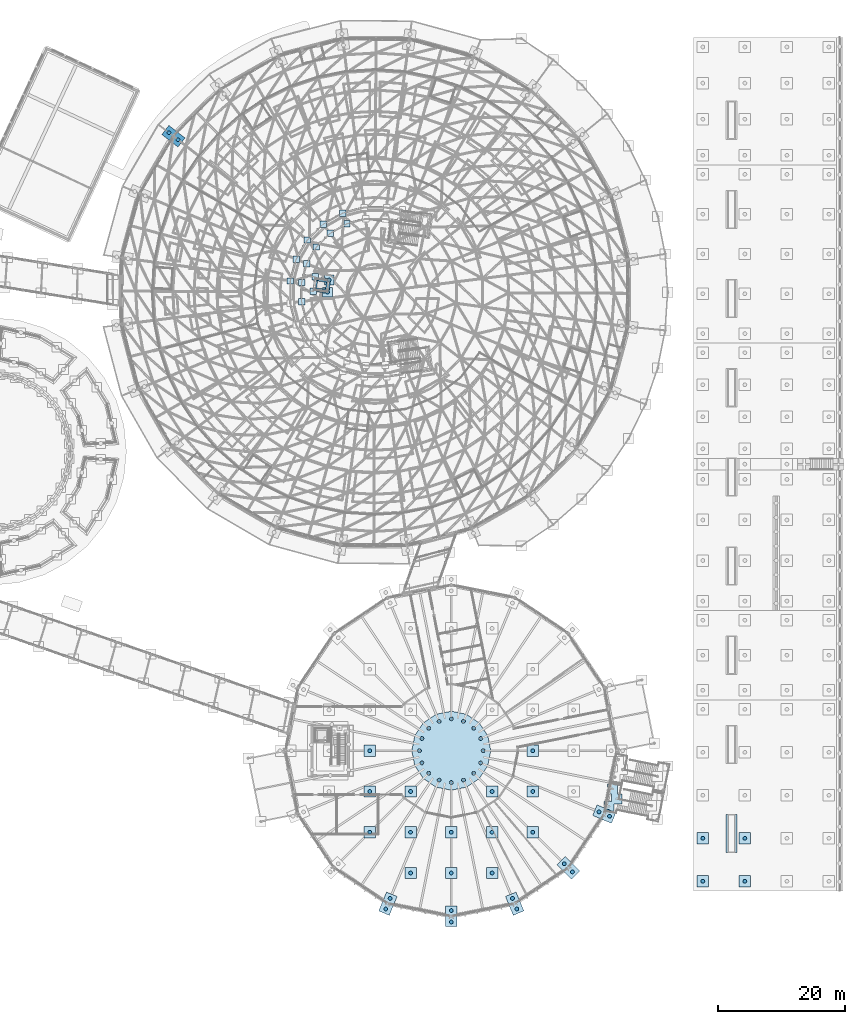
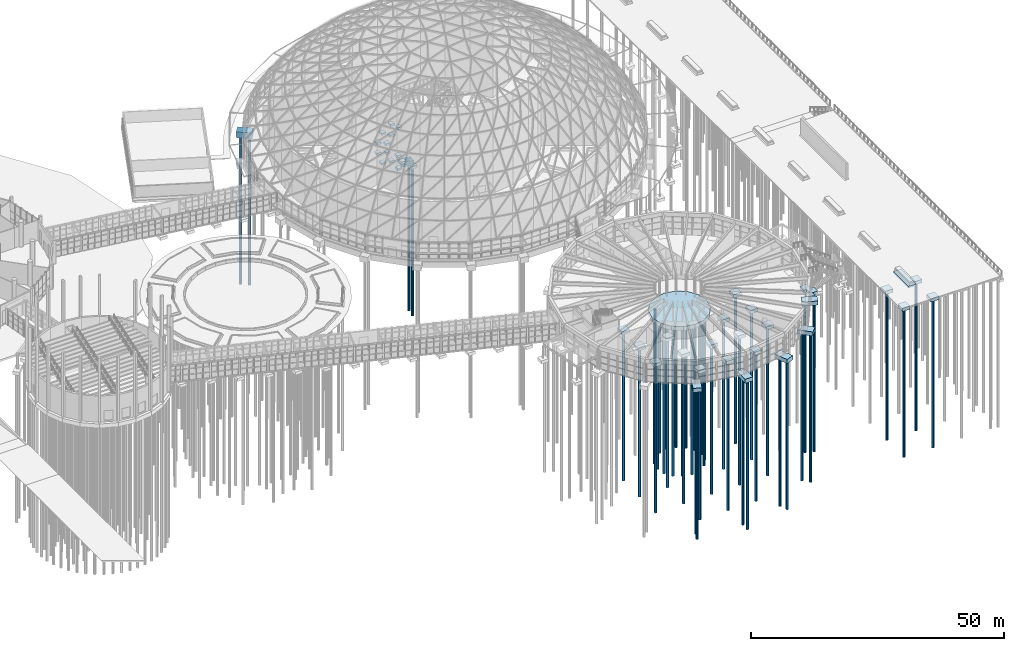
# One storey, part 7 of 226: 48 piles, 46 footings.
"""IFC4 building model written with IfcOpenShell, lengths in metres."""

from ifc_helpers import new_model, si_unit, direction, frame, origin, origin_2d, place, context, subcontext, project, spatial, polyline, circle, outline, extrude, material, layer, layer_set, material_profile, profile_set, type_object, element, save


model = new_model("IFC4")

# Units and contexts
model_context = context("Model", 3, precision=1e-05, world=origin(), true_north=direction((0.0, 1.0)))
body_context = subcontext(model_context, "Body", "Model", "MODEL_VIEW")
ifc_project = project(units=[si_unit("LENGTHUNIT", "METRE"), si_unit("AREAUNIT", "SQUARE_METRE"), si_unit("VOLUMEUNIT", "CUBIC_METRE"), si_unit("PLANEANGLEUNIT", "RADIAN"), si_unit("MASSUNIT", "GRAM", prefix="KILO")], contexts=[model_context])

# Site, building, storey
site_placement = place(None, origin())
site = spatial("IfcSite", under=ifc_project, at=site_placement, CompositionType="ELEMENT")
building_placement = place(site_placement, origin())
building = spatial("IfcBuilding", under=site, at=building_placement, Name="Ceibo Conservatory and Research Tower", CompositionType="ELEMENT")
storey_placement = place(building_placement, origin())
storey = spatial("IfcBuildingStorey", under=building, at=storey_placement, Name="L00", CompositionType="ELEMENT", Elevation=0.0)

# Piles
ifc_material_1 = material(Name="Concrete C35/45", Category="concrete")
ifc_material_profile = material_profile(ifc_material_1, circle(Radius=0.300048828125, at=origin_2d()), Name="RC D600")
ifc_profile_set = profile_set([ifc_material_profile], Name="Concrete C35/45")
pile_type = type_object("IfcPileType", Name="Bored pile D600", PredefinedType="BORED", material=ifc_profile_set)
for number, where, z_axis, x_axis, name in (
    (1, (125.083984375, 131.937744140625, -1.300048828125), (0.0, 0.0, -1.0), (1.0, 0.0, 0.0), "Pile DA.CAP.L00.10 01"),
    (2, (123.660888671875, 133.039794921875, -1.300048828125), (0.0, 0.0, -1.0), (1.0, 0.0, 0.0), "Pile DA.CAP.L00.10 02"),
    (3, (173.0, 36.0, -0.89990234375), (0.0, 0.0, -1.0), (1.0, 0.0, 0.0), "Pile VC.CAP.CENTRAL 01"),
    (4, (172.619384765625, 37.913330078125, -0.89990234375), (0.0, 0.0, -1.0), (1.0, 0.0, 0.0), "Pile VC.CAP.CENTRAL 02"),
    (5, (171.53564453125, 39.53564453125, -0.89990234375), (0.0, 0.0, -1.0), (1.0, 0.0, 0.0), "Pile VC.CAP.CENTRAL 03"),
    (6, (169.913330078125, 40.619384765625, -0.89990234375), (0.0, 0.0, -1.0), (1.0, 0.0, 0.0), "Pile VC.CAP.CENTRAL 04"),
    (7, (168.0, 41.0, -0.89990234375), (0.0, 0.0, -1.0), (1.0, 0.0, 0.0), "Pile VC.CAP.CENTRAL 05"),
    (8, (166.086669921875, 40.619384765625, -0.89990234375), (0.0, 0.0, -1.0), (1.0, 0.0, 0.0), "Pile VC.CAP.CENTRAL 06"),
    (9, (164.46435546875, 39.53564453125, -0.89990234375), (0.0, 0.0, -1.0), (1.0, 0.0, 0.0), "Pile VC.CAP.CENTRAL 07"),
    (10, (163.380615234375, 37.913330078125, -0.89990234375), (0.0, 0.0, -1.0), (1.0, 0.0, 0.0), "Pile VC.CAP.CENTRAL 08"),
    (11, (163.0, 36.0, -0.89990234375), (0.0, 0.0, -1.0), (1.0, 0.0, 0.0), "Pile VC.CAP.CENTRAL 09"),
    (12, (163.380615234375, 34.086669921875, -0.89990234375), (0.0, 0.0, -1.0), (1.0, 0.0, 0.0), "Pile VC.CAP.CENTRAL 10"),
    (13, (164.46435546875, 32.46435546875, -0.89990234375), (0.0, 0.0, -1.0), (1.0, 0.0, 0.0), "Pile VC.CAP.CENTRAL 11"),
    (14, (166.086669921875, 31.380615234375, -0.89990234375), (0.0, 0.0, -1.0), (1.0, 0.0, 0.0), "Pile VC.CAP.CENTRAL 12"),
    (15, (168.0, 31.0, -0.89990234375), (0.0, 0.0, -1.0), (1.0, 0.0, 0.0), "Pile VC.CAP.CENTRAL 13"),
    (16, (169.913330078125, 31.380615234375, -0.89990234375), (0.0, 0.0, -1.0), (1.0, 0.0, 0.0), "Pile VC.CAP.CENTRAL 14"),
    (17, (171.53564453125, 32.46435546875, -0.89990234375), (0.0, 0.0, -1.0), (1.0, 0.0, 0.0), "Pile VC.CAP.CENTRAL 15"),
    (18, (172.619384765625, 34.086669921875, -0.89990234375), (0.0, 0.0, -1.0), (1.0, 0.0, 0.0), "Pile VC.CAP.CENTRAL 16"),
    (19, (158.39453125, 12.810546875, -0.89990234375), (0.0, 0.0, -1.0), (1.0, 0.0, 0.0), "Pile VC.CAP.L00.12 01"),
    (20, (157.705810546875, 11.147705078125, -0.89990234375), (0.0, 0.0, -1.0), (1.0, 0.0, 0.0), "Pile VC.CAP.L00.12 02"),
    (21, (168.0, 10.89990234375, -0.89990234375), (0.0, 0.0, -1.0), (1.0, 0.0, 0.0), "Pile VC.CAP.L00.13 01"),
    (22, (168.0, 9.10009765625, -0.89990234375), (0.0, 0.0, -1.0), (1.0, 0.0, 0.0), "Pile VC.CAP.L00.13 02"),
    (23, (177.60546875, 12.810546875, -0.89990234375), (0.0, 0.0, -1.0), (1.0, 0.0, 0.0), "Pile VC.CAP.L00.14 01"),
    (24, (178.294189453125, 11.147705078125, -0.89990234375), (0.0, 0.0, -1.0), (1.0, 0.0, 0.0), "Pile VC.CAP.L00.14 02"),
    (25, (185.748291015625, 18.251708984375, -0.89990234375), (0.0, 0.0, -1.0), (1.0, 0.0, 0.0), "Pile VC.CAP.L00.15 01"),
    (26, (187.021240234375, 16.978759765625, -0.89990234375), (0.0, 0.0, -1.0), (1.0, 0.0, 0.0), "Pile VC.CAP.L00.15 02"),
    (27, (191.189453125, 26.39453125, -0.89990234375), (0.0, 0.0, -1.0), (1.0, 0.0, 0.0), "Pile VC.CAP.L00.16 01"),
    (28, (192.852294921875, 25.705810546875, -0.89990234375), (0.0, 0.0, -1.0), (1.0, 0.0, 0.0), "Pile VC.CAP.L00.16 02"),
    (29, (161.60009765625, 16.800048828125, -0.949951171875), (0.0, 0.0, -1.0), (1.0, 0.0, 0.0), "Pile VC.CAP.FLOOR.01 01"),
    (30, (168.0, 16.800048828125, -0.949951171875), (0.0, 0.0, -1.0), (1.0, 0.0, 0.0), "Pile VC.CAP.FLOOR.02 01"),
    (31, (174.39990234375, 16.800048828125, -0.949951171875), (0.0, 0.0, -1.0), (1.0, 0.0, 0.0), "Pile VC.CAP.FLOOR.03 01"),
    (32, (155.199951171875, 23.199951171875, -0.949951171875), (0.0, 0.0, -1.0), (1.0, 0.0, 0.0), "Pile VC.CAP.FLOOR.04 01"),
    (33, (161.60009765625, 23.199951171875, -0.949951171875), (0.0, 0.0, -1.0), (1.0, 0.0, 0.0), "Pile VC.CAP.FLOOR.05 01"),
    (34, (168.0, 23.199951171875, -0.949951171875), (0.0, 0.0, -1.0), (1.0, 0.0, 0.0), "Pile VC.CAP.FLOOR.06 01"),
    (35, (174.39990234375, 23.199951171875, -0.949951171875), (0.0, 0.0, -1.0), (1.0, 0.0, 0.0), "Pile VC.CAP.FLOOR.07 01"),
    (36, (180.800048828125, 23.199951171875, -0.949951171875), (0.0, 0.0, -1.0), (1.0, 0.0, 0.0), "Pile VC.CAP.FLOOR.08 01"),
    (37, (155.199951171875, 29.60009765625, -0.949951171875), (0.0, 0.0, -1.0), (1.0, 0.0, 0.0), "Pile VC.CAP.FLOOR.10 01"),
    (38, (161.60009765625, 29.60009765625, -0.949951171875), (0.0, 0.0, -1.0), (1.0, 0.0, 0.0), "Pile VC.CAP.FLOOR.11 01"),
    (39, (174.39990234375, 29.60009765625, -0.949951171875), (0.0, 0.0, -1.0), (1.0, 0.0, 0.0), "Pile VC.CAP.FLOOR.12 01"),
    (40, (180.800048828125, 29.60009765625, -0.949951171875), (0.0, 0.0, -1.0), (1.0, 0.0, 0.0), "Pile VC.CAP.FLOOR.13 01"),
    (41, (155.199951171875, 36.0, -0.949951171875), (0.0, 0.0, -1.0), (1.0, 0.0, 0.0), "Pile VC.CAP.FLOOR.16 01"),
    (42, (180.800048828125, 36.0, -0.949951171875), (0.0, 0.0, -1.0), (1.0, 0.0, 0.0), "Pile VC.CAP.FLOOR.17 01"),
    (43, (148.81396484375, 109.91064453125, -2.449951171875), (0.0, 0.0, -1.0), (1.0, 0.0, 0.0), "Pile CARRY.DA.LFT.L00.C1 01"),
    (44, (148.564208984375, 108.0244140625, -2.449951171875), (0.0, 0.0, -1.0), (1.0, 0.0, 0.0), "Pile CARRY.DA.LFT.L00.C2 01"),
    (45, (207.5, 15.5, -1.14990234375), (0.0, 0.0, -1.0), (1.0, 0.0, 0.0), "Pile SITE.QDECK.CAP.N1.01 01"),
    (46, (214.10009765625, 15.5, -1.14990234375), (0.0, 0.0, -1.0), (1.0, 0.0, 0.0), "Pile SITE.QDECK.CAP.N1.02 01"),
    (47, (207.5, 22.25, -1.14990234375), (0.0, 0.0, -1.0), (1.0, 0.0, 0.0), "Pile SITE.QDECK.CAP.N1.05 01"),
    (48, (214.10009765625, 22.25, -1.14990234375), (0.0, 0.0, -1.0), (1.0, 0.0, 0.0), "Pile SITE.QDECK.CAP.N1.06 01"),
):
    element("IfcPile", number, at=place(storey_placement, frame(where, z_axis=z_axis, x_axis=x_axis)), inside=storey, type_object=pile_type, Name=name, PredefinedType="BORED", context=body_context, shape_type="SweptSolid", body=[
        extrude(circle(Radius=0.300048828125, at=origin_2d()), origin(), (0.0, 0.0, 1.0), 36.0),
    ])

# Footings
ifc_material_2 = material(Name="Concrete C40/50", Category="concrete")
ifc_layer_1 = layer(ifc_material_2, 0.5)
ifc_layer_set_1 = layer_set([ifc_layer_1], Name="Concrete C40/50")
footing_type_1 = type_object("IfcFootingType", Name="Lift pit strip footing 500", PredefinedType="STRIP_FOOTING", material=ifc_layer_set_1)
footing_1_placement = place(storey_placement, frame((0.0, 0.0, -1.949951171875)))
element("IfcFooting", 49, at=footing_1_placement, inside=storey, type_object=footing_type_1, Name="Lift pit footing 1", PredefinedType="STRIP_FOOTING", context=body_context, shape_type="SweptSolid", body=[
    extrude(outline(polyline([(148.760986328125, 107.7978515625), (148.839599609375, 108.392822265625), (146.26220703125, 108.73388671875), (146.183349609375, 108.13916015625), (148.760986328125, 107.7978515625)])), origin(), (0.0, 0.0, 1.0), 0.5),
])
footing_2_placement = place(storey_placement, frame((0.0, 0.0, -1.949951171875)))
element("IfcFooting", 50, at=footing_2_placement, inside=storey, type_object=footing_type_1, Name="Lift pit footing 2", PredefinedType="STRIP_FOOTING", context=body_context, shape_type="SweptSolid", body=[
    extrude(outline(polyline([(148.98388671875, 109.483154296875), (149.062744140625, 110.078125), (146.485107421875, 110.419189453125), (146.406494140625, 109.824462890625), (148.98388671875, 109.483154296875)])), origin(), (0.0, 0.0, 1.0), 0.5),
])
footing_3_placement = place(storey_placement, frame((0.0, 0.0, -1.949951171875)))
element("IfcFooting", 51, at=footing_3_placement, inside=storey, type_object=footing_type_1, Name="Lift pit footing 3", PredefinedType="STRIP_FOOTING", context=body_context, shape_type="SweptSolid", body=[
    extrude(outline(polyline([(148.839599609375, 108.392822265625), (148.98388671875, 109.483154296875), (148.38916015625, 109.56201171875), (148.244873046875, 108.471435546875), (148.839599609375, 108.392822265625)])), origin(), (0.0, 0.0, 1.0), 0.5),
])
footing_4_placement = place(storey_placement, frame((0.0, 0.0, -1.949951171875)))
element("IfcFooting", 52, at=footing_4_placement, inside=storey, type_object=footing_type_1, Name="Lift pit footing 4", PredefinedType="STRIP_FOOTING", context=body_context, shape_type="SweptSolid", body=[
    extrude(outline(polyline([(146.85693359375, 108.6552734375), (147.001220703125, 109.74560546875), (146.406494140625, 109.824462890625), (146.26220703125, 108.73388671875), (146.85693359375, 108.6552734375)])), origin(), (0.0, 0.0, 1.0), 0.5),
])
ifc_layer_2 = layer(ifc_material_2, 0.60009765625)
ifc_layer_set_2 = layer_set([ifc_layer_2], Name="Concrete C40/50")
footing_type_2 = type_object("IfcFootingType", Name="Pile cap 1500x1500x600", PredefinedType="PILE_CAP", material=ifc_layer_set_2)
footing_5_placement = place(storey_placement, frame((0.0, 0.0, -2.550048828125)))
element("IfcFooting", 53, at=footing_5_placement, inside=storey, type_object=footing_type_2, Name="Pile cap CARRY.DA.LFT.L00.C1", PredefinedType="PILE_CAP", context=body_context, shape_type="SweptSolid", body=[
    extrude(outline(polyline([(149.56396484375, 109.16064453125), (149.56396484375, 110.66064453125), (148.06396484375, 110.66064453125), (148.06396484375, 109.16064453125), (149.56396484375, 109.16064453125)])), origin(), (0.0, 0.0, 1.0), 0.60009765625),
])
footing_6_placement = place(storey_placement, frame((0.0, 0.0, -2.550048828125)))
element("IfcFooting", 54, at=footing_6_placement, inside=storey, type_object=footing_type_2, Name="Pile cap CARRY.DA.LFT.L00.C2", PredefinedType="PILE_CAP", context=body_context, shape_type="SweptSolid", body=[
    extrude(outline(polyline([(149.314208984375, 107.2744140625), (149.314208984375, 108.7744140625), (147.814208984375, 108.7744140625), (147.814208984375, 107.2744140625), (149.314208984375, 107.2744140625)])), origin(), (0.0, 0.0, 1.0), 0.60009765625),
])
ifc_layer_3 = layer(ifc_material_2, 0.800048828125)
ifc_layer_set_3 = layer_set([ifc_layer_3], Name="Concrete C40/50")
footing_type_3 = type_object("IfcFootingType", Name="Pile cap 1800x1800x800", PredefinedType="PILE_CAP", material=ifc_layer_set_3)
footing_7_placement = place(storey_placement, frame((0.0, 0.0, -1.050048828125)))
element("IfcFooting", 55, at=footing_7_placement, inside=storey, type_object=footing_type_3, Name="Pile cap VC.CAP.FLOOR.01", PredefinedType="PILE_CAP", context=body_context, shape_type="SweptSolid", body=[
    extrude(outline(polyline([(160.699951171875, 15.89990234375), (162.5, 15.89990234375), (162.5, 17.699951171875), (160.699951171875, 17.699951171875), (160.699951171875, 15.89990234375)])), origin(), (0.0, 0.0, 1.0), 0.800048828125),
])
footing_8_placement = place(storey_placement, frame((0.0, 0.0, -1.050048828125)))
element("IfcFooting", 56, at=footing_8_placement, inside=storey, type_object=footing_type_3, Name="Pile cap VC.CAP.FLOOR.02", PredefinedType="PILE_CAP", context=body_context, shape_type="SweptSolid", body=[
    extrude(outline(polyline([(167.10009765625, 15.89990234375), (168.89990234375, 15.89990234375), (168.89990234375, 17.699951171875), (167.10009765625, 17.699951171875), (167.10009765625, 15.89990234375)])), origin(), (0.0, 0.0, 1.0), 0.800048828125),
])
footing_9_placement = place(storey_placement, frame((0.0, 0.0, -1.050048828125)))
element("IfcFooting", 57, at=footing_9_placement, inside=storey, type_object=footing_type_3, Name="Pile cap VC.CAP.FLOOR.03", PredefinedType="PILE_CAP", context=body_context, shape_type="SweptSolid", body=[
    extrude(outline(polyline([(173.5, 15.89990234375), (175.300048828125, 15.89990234375), (175.300048828125, 17.699951171875), (173.5, 17.699951171875), (173.5, 15.89990234375)])), origin(), (0.0, 0.0, 1.0), 0.800048828125),
])
footing_10_placement = place(storey_placement, frame((0.0, 0.0, -1.050048828125)))
element("IfcFooting", 58, at=footing_10_placement, inside=storey, type_object=footing_type_3, Name="Pile cap VC.CAP.FLOOR.04", PredefinedType="PILE_CAP", context=body_context, shape_type="SweptSolid", body=[
    extrude(outline(polyline([(154.300048828125, 22.300048828125), (156.10009765625, 22.300048828125), (156.10009765625, 24.10009765625), (154.300048828125, 24.10009765625), (154.300048828125, 22.300048828125)])), origin(), (0.0, 0.0, 1.0), 0.800048828125),
])
footing_11_placement = place(storey_placement, frame((0.0, 0.0, -1.050048828125)))
element("IfcFooting", 59, at=footing_11_placement, inside=storey, type_object=footing_type_3, Name="Pile cap VC.CAP.FLOOR.05", PredefinedType="PILE_CAP", context=body_context, shape_type="SweptSolid", body=[
    extrude(outline(polyline([(160.699951171875, 22.300048828125), (162.5, 22.300048828125), (162.5, 24.10009765625), (160.699951171875, 24.10009765625), (160.699951171875, 22.300048828125)])), origin(), (0.0, 0.0, 1.0), 0.800048828125),
])
footing_12_placement = place(storey_placement, frame((0.0, 0.0, -1.050048828125)))
element("IfcFooting", 60, at=footing_12_placement, inside=storey, type_object=footing_type_3, Name="Pile cap VC.CAP.FLOOR.06", PredefinedType="PILE_CAP", context=body_context, shape_type="SweptSolid", body=[
    extrude(outline(polyline([(167.10009765625, 22.300048828125), (168.89990234375, 22.300048828125), (168.89990234375, 24.10009765625), (167.10009765625, 24.10009765625), (167.10009765625, 22.300048828125)])), origin(), (0.0, 0.0, 1.0), 0.800048828125),
])
footing_13_placement = place(storey_placement, frame((0.0, 0.0, -1.050048828125)))
element("IfcFooting", 61, at=footing_13_placement, inside=storey, type_object=footing_type_3, Name="Pile cap VC.CAP.FLOOR.07", PredefinedType="PILE_CAP", context=body_context, shape_type="SweptSolid", body=[
    extrude(outline(polyline([(173.5, 22.300048828125), (175.300048828125, 22.300048828125), (175.300048828125, 24.10009765625), (173.5, 24.10009765625), (173.5, 22.300048828125)])), origin(), (0.0, 0.0, 1.0), 0.800048828125),
])
footing_14_placement = place(storey_placement, frame((0.0, 0.0, -1.050048828125)))
element("IfcFooting", 62, at=footing_14_placement, inside=storey, type_object=footing_type_3, Name="Pile cap VC.CAP.FLOOR.08", PredefinedType="PILE_CAP", context=body_context, shape_type="SweptSolid", body=[
    extrude(outline(polyline([(179.89990234375, 22.300048828125), (181.699951171875, 22.300048828125), (181.699951171875, 24.10009765625), (179.89990234375, 24.10009765625), (179.89990234375, 22.300048828125)])), origin(), (0.0, 0.0, 1.0), 0.800048828125),
])
footing_15_placement = place(storey_placement, frame((0.0, 0.0, -1.050048828125)))
element("IfcFooting", 63, at=footing_15_placement, inside=storey, type_object=footing_type_3, Name="Pile cap VC.CAP.FLOOR.10", PredefinedType="PILE_CAP", context=body_context, shape_type="SweptSolid", body=[
    extrude(outline(polyline([(154.300048828125, 28.699951171875), (156.10009765625, 28.699951171875), (156.10009765625, 30.5), (154.300048828125, 30.5), (154.300048828125, 28.699951171875)])), origin(), (0.0, 0.0, 1.0), 0.800048828125),
])
footing_16_placement = place(storey_placement, frame((0.0, 0.0, -1.050048828125)))
element("IfcFooting", 64, at=footing_16_placement, inside=storey, type_object=footing_type_3, Name="Pile cap VC.CAP.FLOOR.11", PredefinedType="PILE_CAP", context=body_context, shape_type="SweptSolid", body=[
    extrude(outline(polyline([(160.699951171875, 28.699951171875), (162.5, 28.699951171875), (162.5, 30.5), (160.699951171875, 30.5), (160.699951171875, 28.699951171875)])), origin(), (0.0, 0.0, 1.0), 0.800048828125),
])
footing_17_placement = place(storey_placement, frame((0.0, 0.0, -1.050048828125)))
element("IfcFooting", 65, at=footing_17_placement, inside=storey, type_object=footing_type_3, Name="Pile cap VC.CAP.FLOOR.12", PredefinedType="PILE_CAP", context=body_context, shape_type="SweptSolid", body=[
    extrude(outline(polyline([(173.5, 28.699951171875), (175.300048828125, 28.699951171875), (175.300048828125, 30.5), (173.5, 30.5), (173.5, 28.699951171875)])), origin(), (0.0, 0.0, 1.0), 0.800048828125),
])
footing_18_placement = place(storey_placement, frame((0.0, 0.0, -1.050048828125)))
element("IfcFooting", 66, at=footing_18_placement, inside=storey, type_object=footing_type_3, Name="Pile cap VC.CAP.FLOOR.13", PredefinedType="PILE_CAP", context=body_context, shape_type="SweptSolid", body=[
    extrude(outline(polyline([(179.89990234375, 28.699951171875), (181.699951171875, 28.699951171875), (181.699951171875, 30.5), (179.89990234375, 30.5), (179.89990234375, 28.699951171875)])), origin(), (0.0, 0.0, 1.0), 0.800048828125),
])
footing_19_placement = place(storey_placement, frame((0.0, 0.0, -1.050048828125)))
element("IfcFooting", 67, at=footing_19_placement, inside=storey, type_object=footing_type_3, Name="Pile cap VC.CAP.FLOOR.16", PredefinedType="PILE_CAP", context=body_context, shape_type="SweptSolid", body=[
    extrude(outline(polyline([(154.300048828125, 35.10009765625), (156.10009765625, 35.10009765625), (156.10009765625, 36.89990234375), (154.300048828125, 36.89990234375), (154.300048828125, 35.10009765625)])), origin(), (0.0, 0.0, 1.0), 0.800048828125),
])
footing_20_placement = place(storey_placement, frame((0.0, 0.0, -1.050048828125)))
element("IfcFooting", 68, at=footing_20_placement, inside=storey, type_object=footing_type_3, Name="Pile cap VC.CAP.FLOOR.17", PredefinedType="PILE_CAP", context=body_context, shape_type="SweptSolid", body=[
    extrude(outline(polyline([(179.89990234375, 35.10009765625), (181.699951171875, 35.10009765625), (181.699951171875, 36.89990234375), (179.89990234375, 36.89990234375), (179.89990234375, 35.10009765625)])), origin(), (0.0, 0.0, 1.0), 0.800048828125),
])
footing_21_placement = place(storey_placement, frame((0.0, 0.0, -1.25)))
element("IfcFooting", 69, at=footing_21_placement, inside=storey, type_object=footing_type_3, Name="Quay deck pile cap N1-01", PredefinedType="PILE_CAP", context=body_context, shape_type="SweptSolid", body=[
    extrude(outline(polyline([(206.60009765625, 14.60009765625), (208.39990234375, 14.60009765625), (208.39990234375, 16.39990234375), (206.60009765625, 16.39990234375), (206.60009765625, 14.60009765625)])), origin(), (0.0, 0.0, 1.0), 0.800048828125),
])
footing_22_placement = place(storey_placement, frame((0.0, 0.0, -1.25)))
element("IfcFooting", 70, at=footing_22_placement, inside=storey, type_object=footing_type_3, Name="Quay deck pile cap N1-02", PredefinedType="PILE_CAP", context=body_context, shape_type="SweptSolid", body=[
    extrude(outline(polyline([(213.199951171875, 14.60009765625), (215.0, 14.60009765625), (215.0, 16.39990234375), (213.199951171875, 16.39990234375), (213.199951171875, 14.60009765625)])), origin(), (0.0, 0.0, 1.0), 0.800048828125),
])
footing_23_placement = place(storey_placement, frame((0.0, 0.0, -1.25)))
element("IfcFooting", 71, at=footing_23_placement, inside=storey, type_object=footing_type_3, Name="Quay deck pile cap N1-05", PredefinedType="PILE_CAP", context=body_context, shape_type="SweptSolid", body=[
    extrude(outline(polyline([(206.60009765625, 21.35009765625), (208.39990234375, 21.35009765625), (208.39990234375, 23.14990234375), (206.60009765625, 23.14990234375), (206.60009765625, 21.35009765625)])), origin(), (0.0, 0.0, 1.0), 0.800048828125),
])
footing_24_placement = place(storey_placement, frame((0.0, 0.0, -1.25)))
element("IfcFooting", 72, at=footing_24_placement, inside=storey, type_object=footing_type_3, Name="Quay deck pile cap N1-06", PredefinedType="PILE_CAP", context=body_context, shape_type="SweptSolid", body=[
    extrude(outline(polyline([(213.199951171875, 21.35009765625), (215.0, 21.35009765625), (215.0, 23.14990234375), (213.199951171875, 23.14990234375), (213.199951171875, 21.35009765625)])), origin(), (0.0, 0.0, 1.0), 0.800048828125),
])
ifc_layer_4 = layer(ifc_material_2, 1.0)
ifc_layer_set_4 = layer_set([ifc_layer_4], Name="Concrete C40/50")
footing_type_4 = type_object("IfcFootingType", Name="Pile cap 3200x1800x1000", PredefinedType="PILE_CAP", material=ifc_layer_set_4)
footing_25_placement = place(storey_placement, frame((157.8310546875, 13.8017578125, -1.0), z_axis=(0.0, 0.0, 1.0), x_axis=(-0.382683492437, -0.923879507629, 0.0)))
element("IfcFooting", 73, at=footing_25_placement, inside=storey, type_object=footing_type_4, Name="Pile cap VC.CAP.L00.12", PredefinedType="PILE_CAP", context=body_context, shape_type="SweptSolid", body=[
    extrude(outline(polyline([(0.0, 0.0), (3.199951171875, 0.0), (3.199951171875, 1.800048828125), (0.0, 1.800048828125), (0.0, 0.0)])), origin(), (0.0, 0.0, 1.0), 1.0),
])
footing_26_placement = place(storey_placement, frame((0.0, 0.0, -1.0)))
element("IfcFooting", 74, at=footing_26_placement, inside=storey, type_object=footing_type_4, Name="Pile cap VC.CAP.L00.13", PredefinedType="PILE_CAP", context=body_context, shape_type="SweptSolid", body=[
    extrude(outline(polyline([(167.10009765625, 11.60009765625), (167.10009765625, 8.39990234375), (168.89990234375, 8.39990234375), (168.89990234375, 11.60009765625), (167.10009765625, 11.60009765625)])), origin(), (0.0, 0.0, 1.0), 1.0),
])
for number, where, z_axis, x_axis, name in (
    (75, (176.506103515625, 13.113037109375, -1.0), (0.0, 0.0, 1.0), (0.382683492437, -0.923879507629, 0.0), "Pile cap VC.CAP.L00.14"),
    (76, (184.616943359375, 18.110107421875, -1.0), (0.0, 0.0, 1.0), (0.707106781187, -0.707106781187, 0.0), "Pile cap VC.CAP.L00.15"),
    (77, (190.1982421875, 25.8310546875, -1.0), (0.0, 0.0, 1.0), (0.923879507629, -0.382683492437, 0.0), "Pile cap VC.CAP.L00.16"),
):
    element("IfcFooting", number, at=place(storey_placement, frame(where, z_axis=z_axis, x_axis=x_axis)), inside=storey, type_object=footing_type_4, Name=name, PredefinedType="PILE_CAP", context=body_context, shape_type="SweptSolid", body=[
        extrude(outline(polyline([(0.0, 0.0), (3.199951171875, 0.0), (3.199951171875, 1.800048828125), (0.0, 1.800048828125), (0.0, 0.0)])), origin(), (0.0, 0.0, 1.0), 1.0),
    ])
ifc_layer_5 = layer(ifc_material_2, 1.39990234375)
ifc_layer_set_5 = layer_set([ifc_layer_5], Name="Concrete C40/50")
footing_type_5 = type_object("IfcFootingType", Name="Pile cap 3200x1800x1400", PredefinedType="PILE_CAP", material=ifc_layer_set_5)
footing_27_placement = place(storey_placement, frame((126.1884765625, 132.220703125, -1.39990234375), z_axis=(0.0, 0.0, 1.0), x_axis=(-0.790689661174, 0.612217167116, 0.0)))
element("IfcFooting", 78, at=footing_27_placement, inside=storey, type_object=footing_type_5, Name="Pile cap DA.CAP.L00.10", PredefinedType="PILE_CAP", context=body_context, shape_type="SweptSolid", body=[
    extrude(outline(polyline([(0.0, 0.0), (3.199951171875, 0.0), (3.199951171875, 1.800048828125), (0.0, 1.800048828125), (0.0, 0.0)])), origin(), (0.0, 0.0, 1.0), 1.39990234375),
])
ifc_layer_6 = layer(ifc_material_2, 1.0)
ifc_layer_set_6 = layer_set([ifc_layer_6], Name="Concrete C40/50")
footing_type_6 = type_object("IfcFootingType", Name="Pile cap central 1000", PredefinedType="PILE_CAP", material=ifc_layer_set_6)
footing_28_placement = place(storey_placement, frame((0.0, 0.0, -1.0)))
element("IfcFooting", 79, at=footing_28_placement, inside=storey, type_object=footing_type_6, Name="Pile cap VC.CAP.CENTRAL", PredefinedType="PILE_CAP", context=body_context, shape_type="SweptSolid", body=[
    extrude(outline(polyline([(174.199951171875, 36.0), (173.72802734375, 38.37255859375), (172.384033203125, 40.384033203125), (170.37255859375, 41.72802734375), (168.0, 42.199951171875), (165.62744140625, 41.72802734375), (163.615966796875, 40.384033203125), (162.27197265625, 38.37255859375), (161.800048828125, 36.0), (162.27197265625, 33.62744140625), (163.615966796875, 31.615966796875), (165.62744140625, 30.27197265625), (168.0, 29.800048828125), (170.37255859375, 30.27197265625), (172.384033203125, 31.615966796875), (173.72802734375, 33.62744140625), (174.199951171875, 36.0)])), origin(), (0.0, 0.0, 1.0), 1.0),
])
ifc_layer_7 = layer(ifc_material_2, 0.699951171875)
ifc_layer_set_7 = layer_set([ifc_layer_7], Name="Concrete C40/50")
footing_type_7 = type_object("IfcFootingType", Name="Pile cap combined 700", PredefinedType="PILE_CAP", material=ifc_layer_set_7)
footing_29_placement = place(storey_placement, frame((0.0, 0.0, -0.699951171875)))
element("IfcFooting", 80, at=footing_29_placement, inside=storey, type_object=footing_type_7, Name="Pile cap LATE.VC.STR.CAP.L00.02.J", PredefinedType="PILE_CAP", context=body_context, shape_type="SweptSolid", body=[
    extrude(outline(polyline([(193.569091796875, 26.44970703125), (193.569091796875, 27.637451171875), (194.774169921875, 27.637451171875), (194.774169921875, 29.2373046875), (194.115478515625, 29.2373046875), (194.115478515625, 30.7958984375), (192.515380859375, 30.7958984375), (192.515380859375, 29.19580078125), (193.174072265625, 29.19580078125), (193.174072265625, 28.049560546875), (191.96923828125, 28.049560546875), (191.96923828125, 27.0458984375), (193.408447265625, 26.44970703125), (193.569091796875, 26.44970703125)])), origin(), (0.0, 0.0, 1.0), 0.699951171875),
])
ifc_layer_8 = layer(ifc_material_2, 0.39990234375)
ifc_layer_set_8 = layer_set([ifc_layer_8], Name="Concrete C40/50")
footing_type_8 = type_object("IfcFootingType", Name="Strip footing 1800x400", PredefinedType="STRIP_FOOTING", material=ifc_layer_set_8)
footing_30_placement = place(storey_placement, frame((0.0, 0.0, -0.39990234375)))
element("IfcFooting", 81, at=footing_30_placement, inside=storey, type_object=footing_type_8, Name="Strip footing SITE.STRIP.PLANTER.L00.P01", PredefinedType="STRIP_FOOTING", context=body_context, shape_type="SweptSolid", body=[
    extrude(outline(polyline([(212.89990234375, 20.0), (212.89990234375, 26.0), (211.10009765625, 26.0), (211.10009765625, 20.0), (212.89990234375, 20.0)])), origin(), (0.0, 0.0, 1.0), 0.39990234375),
])
ifc_layer_9 = layer(ifc_material_2, 0.5)
ifc_layer_set_9 = layer_set([ifc_layer_9], Name="Concrete C40/50")
footing_type_9 = type_object("IfcFootingType", Name="Walkway pad footing 1000x1000x500", PredefinedType="PAD_FOOTING", material=ifc_layer_set_9)
footing_31_placement = place(storey_placement, frame((0.0, 0.0, -0.75)))
element("IfcFooting", 82, at=footing_31_placement, inside=storey, type_object=footing_type_9, Name="Walkway footing WK-C03O", PredefinedType="PAD_FOOTING", context=body_context, shape_type="SweptSolid", body=[
    extrude(outline(polyline([(150.447021484375, 119.91064453125), (151.447021484375, 119.91064453125), (151.447021484375, 120.91064453125), (150.447021484375, 120.91064453125), (150.447021484375, 119.91064453125)])), origin(), (0.0, 0.0, 1.0), 0.5),
])
footing_32_placement = place(storey_placement, frame((0.0, 0.0, -0.75)))
element("IfcFooting", 83, at=footing_32_placement, inside=storey, type_object=footing_type_9, Name="Walkway footing WK-C03I", PredefinedType="PAD_FOOTING", context=body_context, shape_type="SweptSolid", body=[
    extrude(outline(polyline([(151.125732421875, 118.24365234375), (152.125732421875, 118.24365234375), (152.125732421875, 119.24365234375), (151.125732421875, 119.24365234375), (151.125732421875, 118.24365234375)])), origin(), (0.0, 0.0, 1.0), 0.5),
])
footing_33_placement = place(storey_placement, frame((0.0, 0.0, -0.75)))
element("IfcFooting", 84, at=footing_33_placement, inside=storey, type_object=footing_type_9, Name="Walkway footing WK-C04O", PredefinedType="PAD_FOOTING", context=body_context, shape_type="SweptSolid", body=[
    extrude(outline(polyline([(147.392578125, 118.169189453125), (148.392578125, 118.169189453125), (148.392578125, 119.169189453125), (147.392578125, 119.169189453125), (147.392578125, 118.169189453125)])), origin(), (0.0, 0.0, 1.0), 0.5),
])
footing_34_placement = place(storey_placement, frame((0.0, 0.0, -0.75)))
element("IfcFooting", 85, at=footing_34_placement, inside=storey, type_object=footing_type_9, Name="Walkway footing WK-C04I", PredefinedType="PAD_FOOTING", context=body_context, shape_type="SweptSolid", body=[
    extrude(outline(polyline([(148.481689453125, 116.736083984375), (149.481689453125, 116.736083984375), (149.481689453125, 117.736083984375), (148.481689453125, 117.736083984375), (148.481689453125, 116.736083984375)])), origin(), (0.0, 0.0, 1.0), 0.5),
])
footing_35_placement = place(storey_placement, frame((0.0, 0.0, -0.75)))
element("IfcFooting", 86, at=footing_35_placement, inside=storey, type_object=footing_type_9, Name="Walkway footing WK-C05O", PredefinedType="PAD_FOOTING", context=body_context, shape_type="SweptSolid", body=[
    extrude(outline(polyline([(144.896484375, 115.693115234375), (145.896484375, 115.693115234375), (145.896484375, 116.693115234375), (144.896484375, 116.693115234375), (144.896484375, 115.693115234375)])), origin(), (0.0, 0.0, 1.0), 0.5),
])
footing_36_placement = place(storey_placement, frame((0.0, 0.0, -0.75)))
element("IfcFooting", 87, at=footing_36_placement, inside=storey, type_object=footing_type_9, Name="Walkway footing WK-C05I", PredefinedType="PAD_FOOTING", context=body_context, shape_type="SweptSolid", body=[
    extrude(outline(polyline([(146.32080078125, 114.592529296875), (147.32080078125, 114.592529296875), (147.32080078125, 115.592529296875), (146.32080078125, 115.592529296875), (146.32080078125, 114.592529296875)])), origin(), (0.0, 0.0, 1.0), 0.5),
])
footing_37_placement = place(storey_placement, frame((0.0, 0.0, -0.75)))
element("IfcFooting", 88, at=footing_37_placement, inside=storey, type_object=footing_type_9, Name="Walkway footing WK-C06O", PredefinedType="PAD_FOOTING", context=body_context, shape_type="SweptSolid", body=[
    extrude(outline(polyline([(143.13037109375, 112.65283203125), (144.13037109375, 112.65283203125), (144.13037109375, 113.65283203125), (143.13037109375, 113.65283203125), (143.13037109375, 112.65283203125)])), origin(), (0.0, 0.0, 1.0), 0.5),
])
footing_38_placement = place(storey_placement, frame((0.0, 0.0, -0.75)))
element("IfcFooting", 89, at=footing_38_placement, inside=storey, type_object=footing_type_9, Name="Walkway footing WK-C06I", PredefinedType="PAD_FOOTING", context=body_context, shape_type="SweptSolid", body=[
    extrude(outline(polyline([(144.7919921875, 111.960693359375), (145.7919921875, 111.960693359375), (145.7919921875, 112.960693359375), (144.7919921875, 112.960693359375), (144.7919921875, 111.960693359375)])), origin(), (0.0, 0.0, 1.0), 0.5),
])
footing_39_placement = place(storey_placement, frame((0.0, 0.0, -0.75)))
element("IfcFooting", 90, at=footing_39_placement, inside=storey, type_object=footing_type_9, Name="Walkway footing WK-C07O", PredefinedType="PAD_FOOTING", context=body_context, shape_type="SweptSolid", body=[
    extrude(outline(polyline([(142.2158203125, 109.258056640625), (143.2158203125, 109.258056640625), (143.2158203125, 110.258056640625), (142.2158203125, 110.258056640625), (142.2158203125, 109.258056640625)])), origin(), (0.0, 0.0, 1.0), 0.5),
])
footing_40_placement = place(storey_placement, frame((0.0, 0.0, -0.75)))
element("IfcFooting", 91, at=footing_40_placement, inside=storey, type_object=footing_type_9, Name="Walkway footing WK-C07I", PredefinedType="PAD_FOOTING", context=body_context, shape_type="SweptSolid", body=[
    extrude(outline(polyline([(144.000244140625, 109.021728515625), (145.000244140625, 109.021728515625), (145.000244140625, 110.021728515625), (144.000244140625, 110.021728515625), (144.000244140625, 109.021728515625)])), origin(), (0.0, 0.0, 1.0), 0.5),
])
footing_41_placement = place(storey_placement, frame((0.0, 0.0, -0.75)))
element("IfcFooting", 92, at=footing_41_placement, inside=storey, type_object=footing_type_9, Name="Walkway footing WK-C08I", PredefinedType="PAD_FOOTING", context=body_context, shape_type="SweptSolid", body=[
    extrude(outline(polyline([(144.000244140625, 105.978271484375), (145.000244140625, 105.978271484375), (145.000244140625, 106.978271484375), (144.000244140625, 106.978271484375), (144.000244140625, 105.978271484375)])), origin(), (0.0, 0.0, 1.0), 0.5),
])
footing_42_placement = place(storey_placement, frame((0.0, 0.0, -0.75)))
element("IfcFooting", 93, at=footing_42_placement, inside=storey, type_object=footing_type_9, Name="Walkway footing WK-PSL", PredefinedType="PAD_FOOTING", context=body_context, shape_type="SweptSolid", body=[
    extrude(outline(polyline([(146.1337890625, 109.8994140625), (147.1337890625, 109.8994140625), (147.1337890625, 110.8994140625), (146.1337890625, 110.8994140625), (146.1337890625, 109.8994140625)])), origin(), (0.0, 0.0, 1.0), 0.5),
])
footing_43_placement = place(storey_placement, frame((0.0, 0.0, -0.75)))
element("IfcFooting", 94, at=footing_43_placement, inside=storey, type_object=footing_type_9, Name="Walkway footing WK-PSR", PredefinedType="PAD_FOOTING", context=body_context, shape_type="SweptSolid", body=[
    extrude(outline(polyline([(145.83203125, 107.619384765625), (146.83203125, 107.619384765625), (146.83203125, 108.619384765625), (145.83203125, 108.619384765625), (145.83203125, 107.619384765625)])), origin(), (0.0, 0.0, 1.0), 0.5),
])

save(model, "model.ifc")
